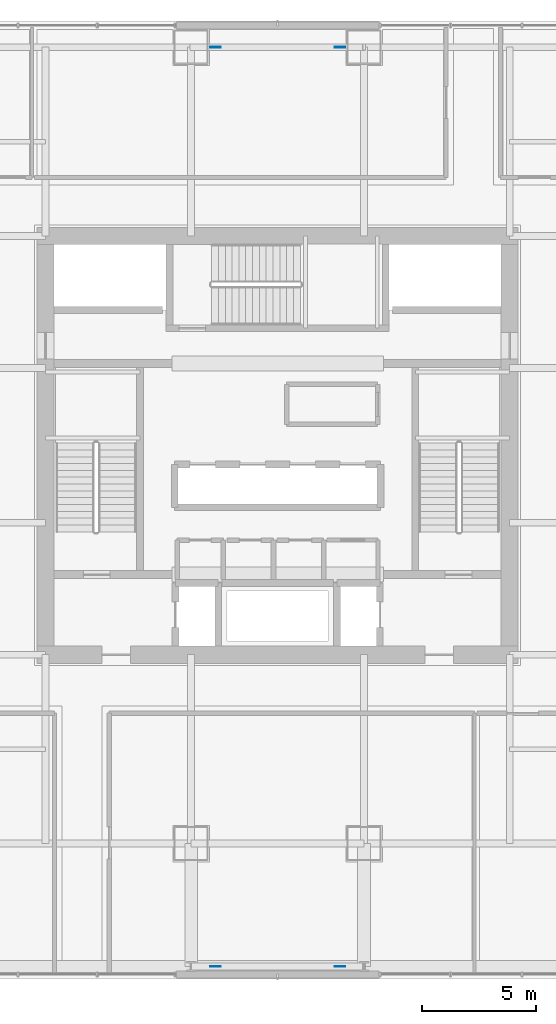
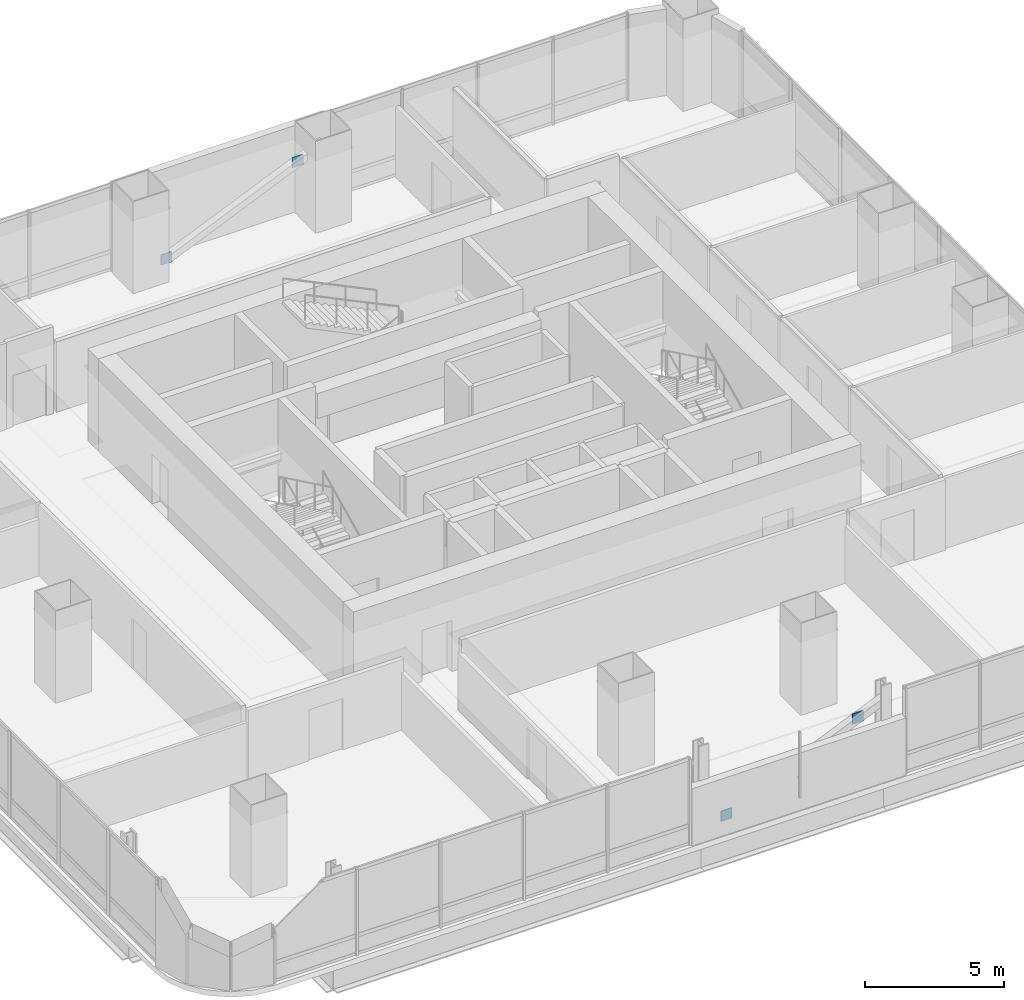
# One storey, part 25 of 37: 4 plates.
"""IFC4 building model written with IfcOpenShell, lengths in metres."""

from ifc_helpers import new_model, si_unit, direction, frame, origin, origin_2d, place, context, subcontext, project, spatial, rectangle, extrude, material, layer, layer_set, type_object, element, save


model = new_model("IFC4")

# Units and contexts
model_context = context("Model", 3, precision=1e-05, world=origin(), true_north=direction((0.0, 1.0)))
body_context = subcontext(model_context, "Body", "Model", "MODEL_VIEW")
ifc_project = project(units=[si_unit("LENGTHUNIT", "METRE"), si_unit("AREAUNIT", "SQUARE_METRE"), si_unit("VOLUMEUNIT", "CUBIC_METRE"), si_unit("PLANEANGLEUNIT", "RADIAN"), si_unit("MASSUNIT", "GRAM", prefix="KILO")], contexts=[model_context])

# Site, building, storey
site_placement = place(None, origin())
site = spatial("IfcSite", under=ifc_project, at=site_placement, CompositionType="ELEMENT")
building_placement = place(site_placement, origin())
building = spatial("IfcBuilding", under=site, at=building_placement, Name="Punatoya Terracotta Tower", CompositionType="ELEMENT")
storey_placement = place(building_placement, frame((0.0, 0.0, 44.39990234375)))
storey = spatial("IfcBuildingStorey", under=building, at=storey_placement, Name="L09", CompositionType="ELEMENT", Elevation=44.39990234375)

# Plates
ifc_material = material(Name="Steel S460", Category="steel")
ifc_layer = layer(ifc_material, 0.031982421875)
ifc_layer_set = layer_set([ifc_layer], Name="Steel S460")
plate_type = type_object("IfcPlateType", Name="PLT-END-32", PredefinedType="USERDEFINED", material=ifc_layer_set)
for number, where, z_axis, x_axis, name in (
    (1, (-2.736083984375, -22.89990234375, 0.250732421875), (0.0, 0.0, 1.0), (1.0, 0.0, 0.0), "L09 Wind Brace S2 End Plate 1"),
    (2, (2.736083984375, -22.89990234375, 2.61962890625), (0.0, 0.0, 1.0), (1.0, 0.0, 0.0), "L09 Wind Brace S2 End Plate 2"),
    (3, (-2.736083984375, 17.5, 0.250732421875), (0.0, 0.0, 1.0), (1.0, 0.0, 0.0), "L09 Wind Brace N2 End Plate 1"),
    (4, (2.736083984375, 17.5, 2.61962890625), (0.0, 0.0, 1.0), (1.0, 0.0, 0.0), "L09 Wind Brace N2 End Plate 2"),
):
    element("IfcPlate", number, at=place(storey_placement, frame(where, z_axis=z_axis, x_axis=x_axis)), inside=storey, type_object=plate_type, Name=name, ObjectType="FLANGE_PLATE", PredefinedType="USERDEFINED", context=body_context, shape_type="SweptSolid", body=[
        extrude(rectangle(XDim=0.4599609375, YDim=0.031982421875, at=origin_2d()), origin(), (0.0, 0.0, 1.0), 0.4599609375),
    ])

save(model, "model.ifc")
